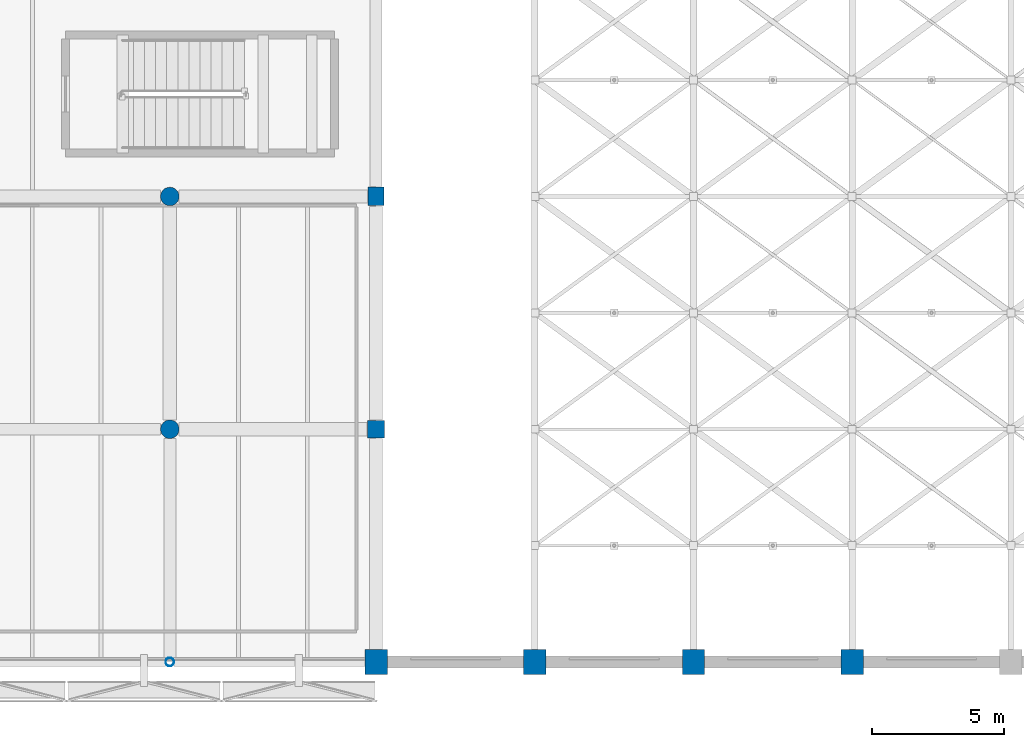
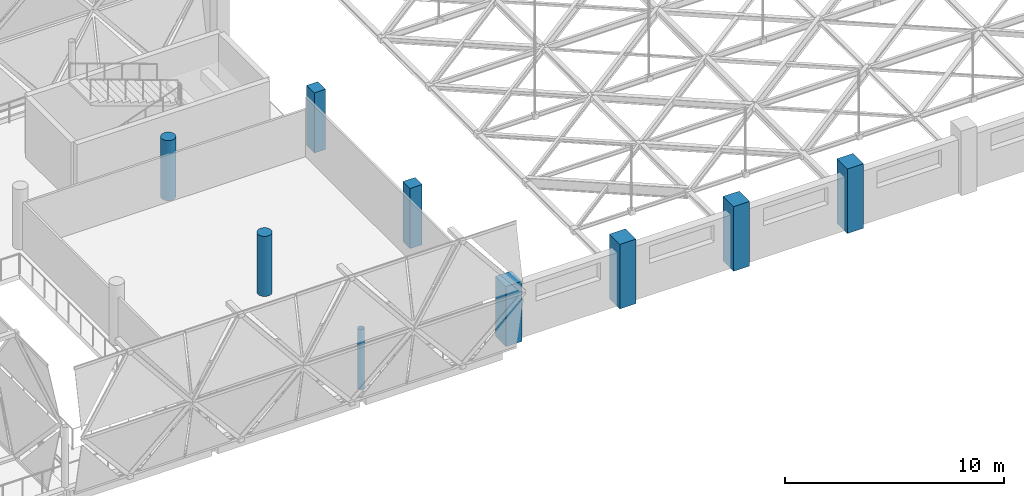
# One storey, part 5 of 93: 9 columns.
"""IFC4 building model written with IfcOpenShell, lengths in metres."""

from ifc_helpers import new_model, si_unit, direction, frame, origin, origin_2d, place, context, subcontext, project, spatial, rectangle, circle, hollow_circle, extrude, material, material_profile, profile_set, type_object, element, save


model = new_model("IFC4")

# Units and contexts
model_context = context("Model", 3, precision=1e-05, world=origin(), true_north=direction((0.0, 1.0)))
body_context = subcontext(model_context, "Body", "Model", "MODEL_VIEW")
ifc_project = project(units=[si_unit("LENGTHUNIT", "METRE"), si_unit("AREAUNIT", "SQUARE_METRE"), si_unit("VOLUMEUNIT", "CUBIC_METRE"), si_unit("PLANEANGLEUNIT", "RADIAN"), si_unit("MASSUNIT", "GRAM", prefix="KILO")], contexts=[model_context])

# Site, building, storey
site_placement = place(None, origin())
site = spatial("IfcSite", under=ifc_project, at=site_placement, CompositionType="ELEMENT")
building_placement = place(site_placement, origin())
building = spatial("IfcBuilding", under=site, at=building_placement, Name="Varnakota Cinema and Media Centre", CompositionType="ELEMENT")
storey_placement = place(building_placement, frame((0.0, 0.0, 12.0)))
storey = spatial("IfcBuildingStorey", under=building, at=storey_placement, Name="L03", CompositionType="ELEMENT", Elevation=12.0)

# Columns
ifc_material_1 = material(Name="Concrete M40", Category="concrete")
ifc_material_profile_1 = material_profile(ifc_material_1, rectangle(XDim=0.60009765625, YDim=0.699951171875, at=origin_2d()), Name="RC 600x700")
ifc_profile_set_1 = profile_set([ifc_material_profile_1], Name="Concrete M40")
column_type_1 = type_object("IfcColumnType", Name="COL-RC-600x700", PredefinedType="COLUMN", material=ifc_profile_set_1)
column_1_placement = place(storey_placement, frame((75.0, 17.60009765625, 0.0), z_axis=(0.0, 0.0, 1.0), x_axis=(1.0, 0.0, 0.0)))
element("IfcColumn", 1, at=column_1_placement, inside=storey, type_object=column_type_1, Name="L03 column K/3", PredefinedType="COLUMN", context=body_context, shape_type="SweptSolid", body=[
    extrude(rectangle(XDim=0.60009765625, YDim=0.699951171875, at=origin_2d()), origin(), (0.0, 0.0, 1.0), 3.35009765625),
])
ifc_material_2 = material(Name="Concrete M40", Category="concrete")
ifc_material_profile_2 = material_profile(ifc_material_2, rectangle(XDim=0.64990234375, YDim=0.64990234375, at=origin_2d()), Name="RC 650x650")
ifc_profile_set_2 = profile_set([ifc_material_profile_2], Name="Concrete M40")
column_type_2 = type_object("IfcColumnType", Name="COL-RC-650x650", PredefinedType="COLUMN", material=ifc_profile_set_2)
column_2_placement = place(storey_placement, frame((75.0, 8.800048828125, 0.0), z_axis=(0.0, 0.0, 1.0), x_axis=(1.0, 0.0, 0.0)))
element("IfcColumn", 2, at=column_2_placement, inside=storey, type_object=column_type_2, Name="L03 column K/2", PredefinedType="COLUMN", context=body_context, shape_type="SweptSolid", body=[
    extrude(rectangle(XDim=0.64990234375, YDim=0.64990234375, at=origin_2d()), origin(), (0.0, 0.0, 1.0), 3.35009765625),
])
ifc_material_3 = material(Name="Concrete M50", Category="concrete")
ifc_material_profile_3 = material_profile(ifc_material_3, rectangle(XDim=0.85009765625, YDim=0.949951171875, at=origin_2d()), Name="RC 850x950")
ifc_profile_set_3 = profile_set([ifc_material_profile_3], Name="Concrete M50")
column_type_3 = type_object("IfcColumnType", Name="COL-RC-850x950", PredefinedType="COLUMN", material=ifc_profile_set_3)
column_3_placement = place(storey_placement, frame((75.0, 0.0, 0.0), z_axis=(0.0, 0.0, 1.0), x_axis=(1.0, 0.0, 0.0)))
element("IfcColumn", 3, at=column_3_placement, inside=storey, type_object=column_type_3, Name="L03 column K/1", PredefinedType="COLUMN", context=body_context, shape_type="SweptSolid", body=[
    extrude(rectangle(XDim=0.85009765625, YDim=0.949951171875, at=origin_2d()), origin(), (0.0, 0.0, 1.0), 3.35009765625),
])
for number, where, z_axis, x_axis, name in (
    (4, (81.0, 0.0, 0.0), (0.0, 0.0, 1.0), (1.0, 0.0, 0.0), "L03 column L/1"),
    (5, (87.0, 0.0, 0.0), (0.0, 0.0, 1.0), (1.0, 0.0, 0.0), "L03 column M/1"),
    (6, (93.0, 0.0, 0.0), (0.0, 0.0, 1.0), (1.0, 0.0, 0.0), "L03 column N/1"),
):
    element("IfcColumn", number, at=place(storey_placement, frame(where, z_axis=z_axis, x_axis=x_axis)), inside=storey, type_object=column_type_3, Name=name, PredefinedType="COLUMN", context=body_context, shape_type="SweptSolid", body=[
        extrude(rectangle(XDim=0.85009765625, YDim=0.949951171875, at=origin_2d()), origin(), (0.0, 0.0, 1.0), 3.60009765625),
    ])
ifc_material_4 = material(Name="Concrete M40", Category="concrete")
ifc_material_profile_4 = material_profile(ifc_material_4, circle(Radius=0.35009765625, at=origin_2d()), Name="RC D700")
ifc_profile_set_4 = profile_set([ifc_material_profile_4], Name="Concrete M40")
column_type_4 = type_object("IfcColumnType", Name="COL-RC-D700", PredefinedType="COLUMN", material=ifc_profile_set_4)
for number, where, z_axis, x_axis, name in (
    (7, (67.199951171875, 8.800048828125, 0.0), (0.0, 0.0, 1.0), (1.0, 0.0, 0.0), "L03 column J/2"),
    (8, (67.199951171875, 17.60009765625, 0.0), (0.0, 0.0, 1.0), (1.0, 0.0, 0.0), "L03 column J/3"),
):
    element("IfcColumn", number, at=place(storey_placement, frame(where, z_axis=z_axis, x_axis=x_axis)), inside=storey, type_object=column_type_4, Name=name, PredefinedType="COLUMN", context=body_context, shape_type="SweptSolid", body=[
        extrude(circle(Radius=0.35009765625, at=origin_2d()), origin(), (0.0, 0.0, 1.0), 3.35009765625),
    ])
ifc_material_5 = material(Name="Structural steel S355 (YSt 355)", Category="steel")
ifc_material_profile_5 = material_profile(ifc_material_5, hollow_circle(Radius=0.161865234375, WallThickness=0.010009765625, at=origin_2d()), Name="CHS 323.9x10.0")
ifc_profile_set_5 = profile_set([ifc_material_profile_5], Name="Structural steel S355 (YSt 355)")
column_type_5 = type_object("IfcColumnType", Name="COL-ST-CHS324", PredefinedType="COLUMN", material=ifc_profile_set_5)
column_4_placement = place(storey_placement, frame((67.199951171875, 0.0, 0.0), z_axis=(0.0, 0.0, 1.0), x_axis=(1.0, 0.0, 0.0)))
element("IfcColumn", 9, at=column_4_placement, inside=storey, type_object=column_type_5, Name="L03 column J/1", PredefinedType="COLUMN", context=body_context, shape_type="SweptSolid", body=[
    extrude(hollow_circle(Radius=0.161865234375, WallThickness=0.010009765625, at=origin_2d()), origin(), (0.0, 0.0, 1.0), 3.35009765625),
])

save(model, "model.ifc")
